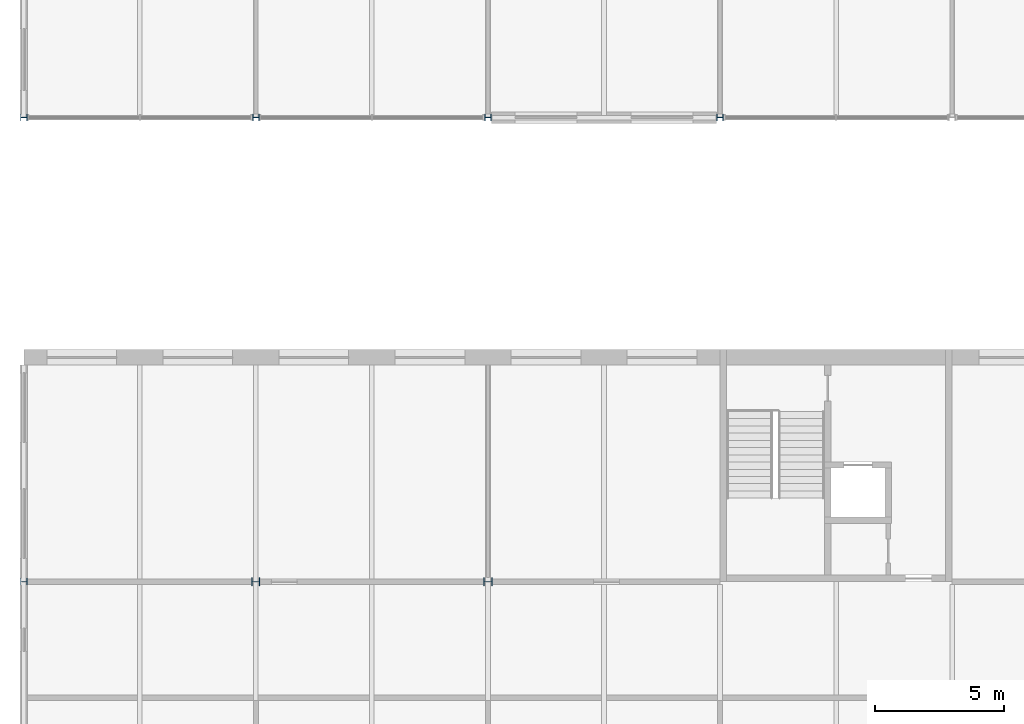
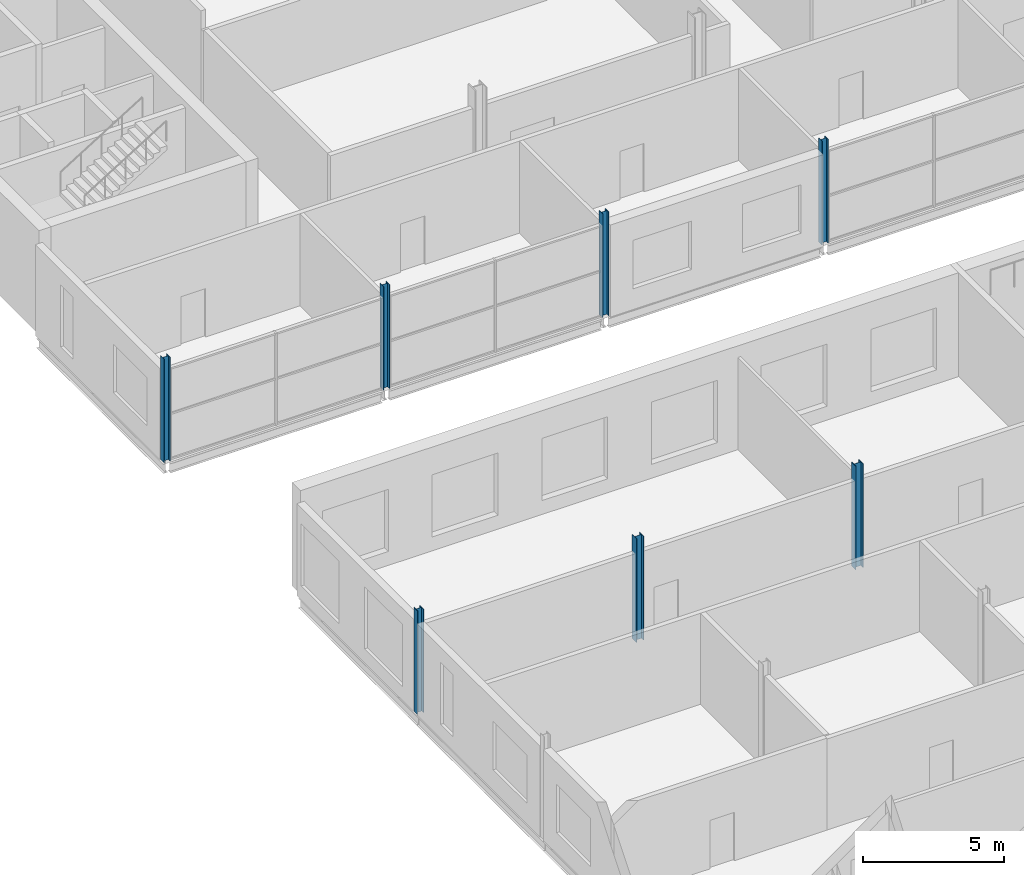
# One storey, part 12 of 97: 7 columns.
"""IFC4 building model written with IfcOpenShell, lengths in metres."""

from ifc_helpers import new_model, si_unit, direction, frame, origin, origin_2d, place, context, subcontext, project, spatial, i_section, extrude, material, material_profile, profile_set, type_object, element, save


model = new_model("IFC4")

# Units and contexts
model_context = context("Model", 3, precision=1e-05, world=origin(), true_north=direction((0.0, 1.0)))
body_context = subcontext(model_context, "Body", "Model", "MODEL_VIEW")
ifc_project = project(units=[si_unit("LENGTHUNIT", "METRE"), si_unit("AREAUNIT", "SQUARE_METRE"), si_unit("VOLUMEUNIT", "CUBIC_METRE"), si_unit("PLANEANGLEUNIT", "RADIAN"), si_unit("MASSUNIT", "GRAM", prefix="KILO")], contexts=[model_context])

# Site, building, storey
site_placement = place(None, origin())
site = spatial("IfcSite", under=ifc_project, at=site_placement, CompositionType="ELEMENT")
building_placement = place(site_placement, origin())
building = spatial("IfcBuilding", under=site, at=building_placement, Name="Corbel Yard City Hall", CompositionType="ELEMENT")
storey_placement = place(building_placement, frame((0.0, 0.0, 6.0)))
storey = spatial("IfcBuildingStorey", under=building, at=storey_placement, Name="L01", CompositionType="ELEMENT", Elevation=6.0)

# Columns
ifc_material = material(Name="Steel Grade 300 (300 MPa yield)", Category="steel")
ifc_material_profile_1 = material_profile(ifc_material, i_section(OverallWidth=0.256103515625, OverallDepth=0.260009765625, WebThickness=0.010498046875, FlangeThickness=0.017333984375, at=origin_2d()), Name="250UC89.5")
ifc_profile_set_1 = profile_set([ifc_material_profile_1], Name="Steel Grade 300 (300 MPa yield)")
column_type_1 = type_object("IfcColumnType", Name="Column 250UC89.5", PredefinedType="COLUMN", material=ifc_profile_set_1)
for number, where, z_axis, x_axis, name in (
    (1, (0.0, 72.0, 0.0), (0.0, 0.0, 1.0), (0.0, 1.0, 0.0), "Column 250UC89.5 I/1 L01"),
    (2, (0.0, 90.0, 0.0), (0.0, 0.0, 1.0), (0.0, 1.0, 0.0), "Column 250UC89.5 K/1 L01"),
    (3, (9.0, 90.0, 0.0), (0.0, 0.0, 1.0), (0.0, 1.0, 0.0), "Column 250UC89.5 K/2 L01"),
    (4, (18.0, 90.0, 0.0), (0.0, 0.0, 1.0), (0.0, 1.0, 0.0), "Column 250UC89.5 K/3 L01"),
    (5, (27.0, 90.0, 0.0), (0.0, 0.0, 1.0), (0.0, 1.0, 0.0), "Column 250UC89.5 K/4 L01"),
):
    element("IfcColumn", number, at=place(storey_placement, frame(where, z_axis=z_axis, x_axis=x_axis)), inside=storey, type_object=column_type_1, Name=name, PredefinedType="COLUMN", context=body_context, shape_type="SweptSolid", body=[
        extrude(i_section(OverallWidth=0.256103515625, OverallDepth=0.260009765625, WebThickness=0.010498046875, FlangeThickness=0.017333984375, at=origin_2d()), origin(), (0.0, 0.0, 1.0), 4.5),
    ])
ifc_material_profile_2 = material_profile(ifc_material, i_section(OverallWidth=0.306884765625, OverallDepth=0.31494140625, WebThickness=0.011962890625, FlangeThickness=0.018798828125, at=origin_2d()), Name="310UC118")
ifc_profile_set_2 = profile_set([ifc_material_profile_2], Name="Steel Grade 300 (300 MPa yield)")
column_type_2 = type_object("IfcColumnType", Name="Column 310UC118", PredefinedType="COLUMN", material=ifc_profile_set_2)
for number, where, z_axis, x_axis, name in (
    (6, (9.0, 72.0, 0.0), (0.0, 0.0, 1.0), (0.0, 1.0, 0.0), "Column 310UC118 I/2 L01"),
    (7, (18.0, 72.0, 0.0), (0.0, 0.0, 1.0), (0.0, 1.0, 0.0), "Column 310UC118 I/3 L01"),
):
    element("IfcColumn", number, at=place(storey_placement, frame(where, z_axis=z_axis, x_axis=x_axis)), inside=storey, type_object=column_type_2, Name=name, PredefinedType="COLUMN", context=body_context, shape_type="SweptSolid", body=[
        extrude(i_section(OverallWidth=0.306884765625, OverallDepth=0.31494140625, WebThickness=0.011962890625, FlangeThickness=0.018798828125, at=origin_2d()), origin(), (0.0, 0.0, 1.0), 4.5),
    ])

save(model, "model.ifc")
